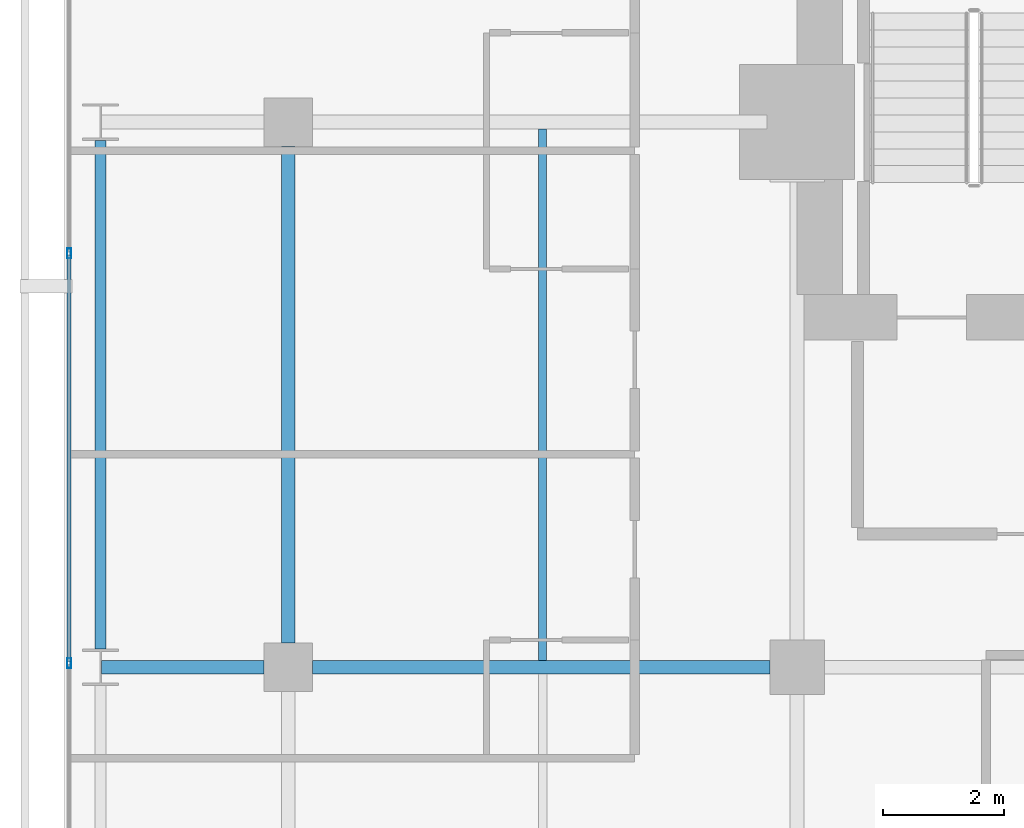
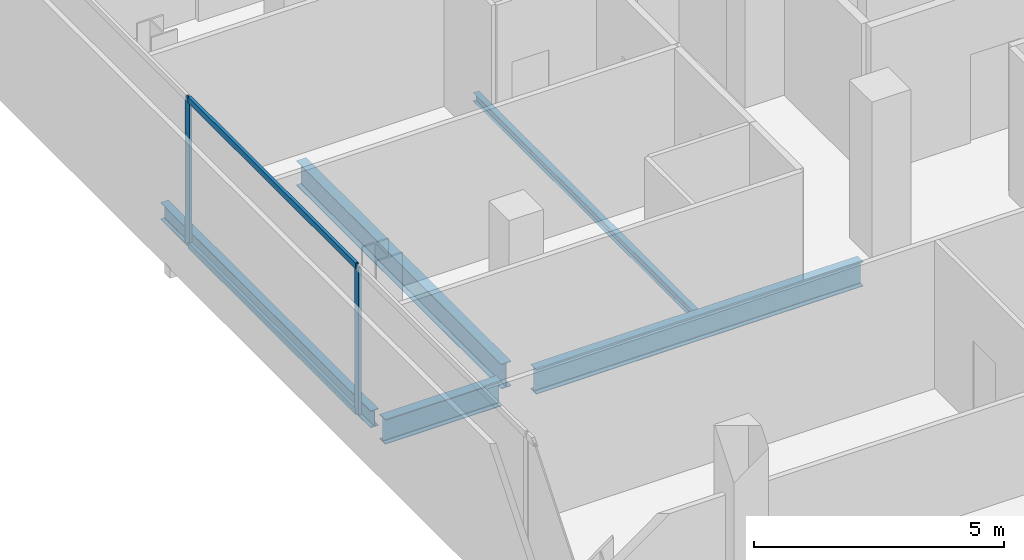
# One storey, part 18 of 34: 5 beams, 4 members, 1 element without a shape of its own.
"""IFC4 building model written with IfcOpenShell, lengths in metres."""

from ifc_helpers import new_model, si_unit, direction, frame, origin, origin_2d, place, context, subcontext, project, spatial, hollow_rectangle, i_section, extrude, material, layer, layer_set, material_profile, profile_set, type_object, element, aggregate, save


model = new_model("IFC4")

# Units and contexts
model_context = context("Model", 3, precision=1e-05, world=origin(), true_north=direction((0.0, 1.0)))
body_context = subcontext(model_context, "Body", "Model", "MODEL_VIEW")
ifc_project = project(units=[si_unit("LENGTHUNIT", "METRE"), si_unit("AREAUNIT", "SQUARE_METRE"), si_unit("VOLUMEUNIT", "CUBIC_METRE"), si_unit("PLANEANGLEUNIT", "RADIAN"), si_unit("MASSUNIT", "GRAM", prefix="KILO")], contexts=[model_context])

# Site, building, storey
site_placement = place(None, origin())
site = spatial("IfcSite", under=ifc_project, at=site_placement, CompositionType="ELEMENT")
building_placement = place(site_placement, origin())
building = spatial("IfcBuilding", under=site, at=building_placement, Name="Maruvema Waterfront Hotel and Observation Tower", CompositionType="ELEMENT")
storey_placement = place(building_placement, frame((0.0, 0.0, 181.300048828125)))
storey = spatial("IfcBuildingStorey", under=building, at=storey_placement, Name="L44", CompositionType="ELEMENT", Elevation=181.300048828125)

# Curtain wall, members
ifc_material_1 = material(Name="Anodised bronze aluminium and solar-control low-E IGU", Category="aluminium")
ifc_layer = layer(ifc_material_1, 0.159912109375, Name="Zone 2 Amber Inner Thermal Curtain Wall System CW-03")
ifc_layer_set = layer_set([ifc_layer], Name="Anodised bronze aluminium and solar-control low-E IGU")
curtain_wall_type = type_object("IfcCurtainWallType", Name="Zone 2 Amber Inner Thermal Curtain Wall System CW-03", PredefinedType="USERDEFINED", material=ifc_layer_set)
curtain_wall_placement = place(storey_placement, origin())
curtain_wall = element("IfcCurtainWall", 1, at=curtain_wall_placement, inside=storey, type_object=curtain_wall_type, Name="L44 Curtain Wall CW-L44-W", ObjectType="UNITISED CURTAIN WALL", PredefinedType="USERDEFINED")
ifc_material_2 = material(Name="Anodised architectural bronze aluminium", Category="aluminium")
ifc_material_profile_1 = material_profile(ifc_material_2, hollow_rectangle(XDim=0.070068359375, YDim=0.14990234375, WallThickness=0.00390625, at=origin_2d()), Name="ALU-T70x150")
ifc_profile_set_1 = profile_set([ifc_material_profile_1], Name="Anodised architectural bronze aluminium")
member_type_1 = type_object("IfcMemberType", Name="Curtain Wall Horizontal Transom ALU-T70x150", PredefinedType="USERDEFINED", material=ifc_profile_set_1)
member_1_placement = place(storey_placement, frame((13.179931640625, 42.80322265625, 0.030029296875), z_axis=(0.0, -1.0, 0.0), x_axis=(1.0, 0.0, 0.0)))
member_1 = element("IfcMember", 2, at=member_1_placement, type_object=member_type_1, Name="CW-03 transom 2.1", ObjectType="TRANSOM", PredefinedType="USERDEFINED", context=body_context, shape_type="SweptSolid", body=[
    extrude(hollow_rectangle(XDim=0.070068359375, YDim=0.14990234375, WallThickness=0.00390625, at=origin_2d()), origin(), (0.0, 0.0, 1.0), 6.70654296875),
])
member_2_placement = place(storey_placement, frame((13.179931640625, 42.80322265625, 3.579833984375), z_axis=(0.0, -1.0, 0.0), x_axis=(1.0, 0.0, 0.0)))
member_2 = element("IfcMember", 3, at=member_2_placement, type_object=member_type_1, Name="CW-03 transom 2.2", ObjectType="TRANSOM", PredefinedType="USERDEFINED", context=body_context, shape_type="SweptSolid", body=[
    extrude(hollow_rectangle(XDim=0.070068359375, YDim=0.14990234375, WallThickness=0.00390625, at=origin_2d()), origin(), (0.0, 0.0, 1.0), 6.70654296875),
])
ifc_material_3 = material(Name="Anodised architectural bronze aluminium", Category="aluminium")
ifc_material_profile_2 = material_profile(ifc_material_3, hollow_rectangle(XDim=0.06494140625, YDim=0.1650390625, WallThickness=0.00390625, at=origin_2d()), Name="ALU-M65x165")
ifc_profile_set_2 = profile_set([ifc_material_profile_2], Name="Anodised architectural bronze aluminium")
member_type_2 = type_object("IfcMemberType", Name="Curtain Wall Primary Mullion ALU-M65x165", PredefinedType="MULLION", material=ifc_profile_set_2)
member_3_placement = place(storey_placement, frame((13.179931640625, 42.833251953125, 0.0), z_axis=(0.0, 0.0, 1.0), x_axis=(1.0, 0.0, 0.0)))
member_3 = element("IfcMember", 4, at=member_3_placement, type_object=member_type_2, Name="CW-03 mullion 2", PredefinedType="MULLION", context=body_context, shape_type="SweptSolid", body=[
    extrude(hollow_rectangle(XDim=0.06494140625, YDim=0.1650390625, WallThickness=0.00390625, at=origin_2d()), origin(), (0.0, 0.0, 1.0), 3.60986328125),
])
member_4_placement = place(storey_placement, frame((13.179931640625, 36.066650390625, 0.0), z_axis=(0.0, 0.0, 1.0), x_axis=(1.0, 0.0, 0.0)))
member_4 = element("IfcMember", 5, at=member_4_placement, type_object=member_type_2, Name="CW-03 mullion 3", PredefinedType="MULLION", context=body_context, shape_type="SweptSolid", body=[
    extrude(hollow_rectangle(XDim=0.06494140625, YDim=0.1650390625, WallThickness=0.00390625, at=origin_2d()), origin(), (0.0, 0.0, 1.0), 3.60986328125),
])
aggregate(curtain_wall, [member_3, member_4, member_1, member_2])

# Beams
ifc_material_4 = material(Name="Steel ASTM A572 Grade 50", Category="steel")
ifc_material_profile_3 = material_profile(ifc_material_4, i_section(OverallWidth=0.180908203125, OverallDepth=0.4169921875, WebThickness=0.010986328125, FlangeThickness=0.018310546875, FilletRadius=0.014892578125, at=origin_2d()), Name="W410x85.0")
ifc_profile_set_3 = profile_set([ifc_material_profile_3], Name="Steel ASTM A572 Grade 50")
beam_type_1 = type_object("IfcBeamType", Name="Perimeter Spandrel Beam W410x85.0", PredefinedType="SPANDREL", material=ifc_profile_set_3)
beam_1_placement = place(storey_placement, frame((13.699951171875, 36.300048828125, -0.448486328125), z_axis=(0.0, 1.0, 0.0), x_axis=(-1.0, 0.0, 0.0)))
element("IfcBeam", 6, at=beam_1_placement, inside=storey, type_object=beam_type_1, Name="L44 Floor Girder NS-04", PredefinedType="SPANDREL", context=body_context, shape_type="SweptSolid", body=[
    extrude(i_section(OverallWidth=0.180908203125, OverallDepth=0.4169921875, WebThickness=0.010986328125, FlangeThickness=0.018310546875, FilletRadius=0.014892578125, at=origin_2d()), origin(), (0.0, 0.0, 1.0), 8.39990234375),
])
ifc_material_5 = material(Name="Steel ASTM A572 Grade 50", Category="steel")
ifc_material_profile_4 = material_profile(ifc_material_5, i_section(OverallWidth=0.22802734375, OverallDepth=0.60302734375, WebThickness=0.010498046875, FlangeThickness=0.014892578125, FilletRadius=0.01806640625, at=origin_2d()), Name="W610x101.0")
ifc_profile_set_4 = profile_set([ifc_material_profile_4], Name="Steel ASTM A572 Grade 50")
beam_type_2 = type_object("IfcBeamType", Name="Primary Floor Girder W610x101.0", PredefinedType="BEAM", material=ifc_profile_set_4)
beam_2_placement = place(storey_placement, frame((13.71240234375, 36.0, -0.54150390625), z_axis=(1.0, 0.0, 0.0), x_axis=(0.0, 1.0, 0.0)))
element("IfcBeam", 7, at=beam_2_placement, inside=storey, type_object=beam_type_2, Name="L44 Floor Girder EW-23", PredefinedType="BEAM", context=body_context, shape_type="SweptSolid", body=[
    extrude(i_section(OverallWidth=0.22802734375, OverallDepth=0.60302734375, WebThickness=0.010498046875, FlangeThickness=0.014892578125, FilletRadius=0.01806640625, at=origin_2d()), origin(), (0.0, 0.0, 1.0), 2.6875),
])
beam_3_placement = place(storey_placement, frame((17.199951171875, 36.0, -0.54150390625), z_axis=(1.0, 0.0, 0.0), x_axis=(0.0, 1.0, 0.0)))
element("IfcBeam", 8, at=beam_3_placement, inside=storey, type_object=beam_type_2, Name="L44 Floor Girder EW-24", PredefinedType="BEAM", context=body_context, shape_type="SweptSolid", body=[
    extrude(i_section(OverallWidth=0.22802734375, OverallDepth=0.60302734375, WebThickness=0.010498046875, FlangeThickness=0.014892578125, FilletRadius=0.01806640625, at=origin_2d()), origin(), (0.0, 0.0, 1.0), 7.550048828125),
])
beam_4_placement = place(storey_placement, frame((16.800048828125, 36.39990234375, -0.54150390625), z_axis=(0.0, 1.0, 0.0), x_axis=(-1.0, 0.0, 0.0)))
element("IfcBeam", 9, at=beam_4_placement, inside=storey, type_object=beam_type_2, Name="L44 Floor Girder NS-08", PredefinedType="BEAM", context=body_context, shape_type="SweptSolid", body=[
    extrude(i_section(OverallWidth=0.22802734375, OverallDepth=0.60302734375, WebThickness=0.010498046875, FlangeThickness=0.014892578125, FilletRadius=0.01806640625, at=origin_2d()), origin(), (0.0, 0.0, 1.0), 8.2001953125),
])
ifc_material_6 = material(Name="Steel ASTM A572 Grade 50", Category="steel")
ifc_material_profile_5 = material_profile(ifc_material_6, i_section(OverallWidth=0.133056640625, OverallDepth=0.20703125, WebThickness=0.005859375, FlangeThickness=0.00830078125, FilletRadius=0.010009765625, at=origin_2d()), Name="W200x26.6")
ifc_profile_set_5 = profile_set([ifc_material_profile_5], Name="Steel ASTM A572 Grade 50")
beam_type_3 = type_object("IfcBeamType", Name="Secondary Floor Joist W200x26.6", PredefinedType="JOIST", material=ifc_profile_set_5)
beam_5_placement = place(storey_placement, frame((21.0, 36.114013671875, -0.343505859375), z_axis=(0.0, 1.0, 0.0), x_axis=(-1.0, 0.0, 0.0)))
element("IfcBeam", 10, at=beam_5_placement, inside=storey, type_object=beam_type_3, Name="L44 Secondary Floor Joist JS-04", PredefinedType="JOIST", context=body_context, shape_type="SweptSolid", body=[
    extrude(i_section(OverallWidth=0.133056640625, OverallDepth=0.20703125, WebThickness=0.005859375, FlangeThickness=0.00830078125, FilletRadius=0.010009765625, at=origin_2d()), origin(), (0.0, 0.0, 1.0), 8.77197265625),
])

save(model, "model.ifc")
